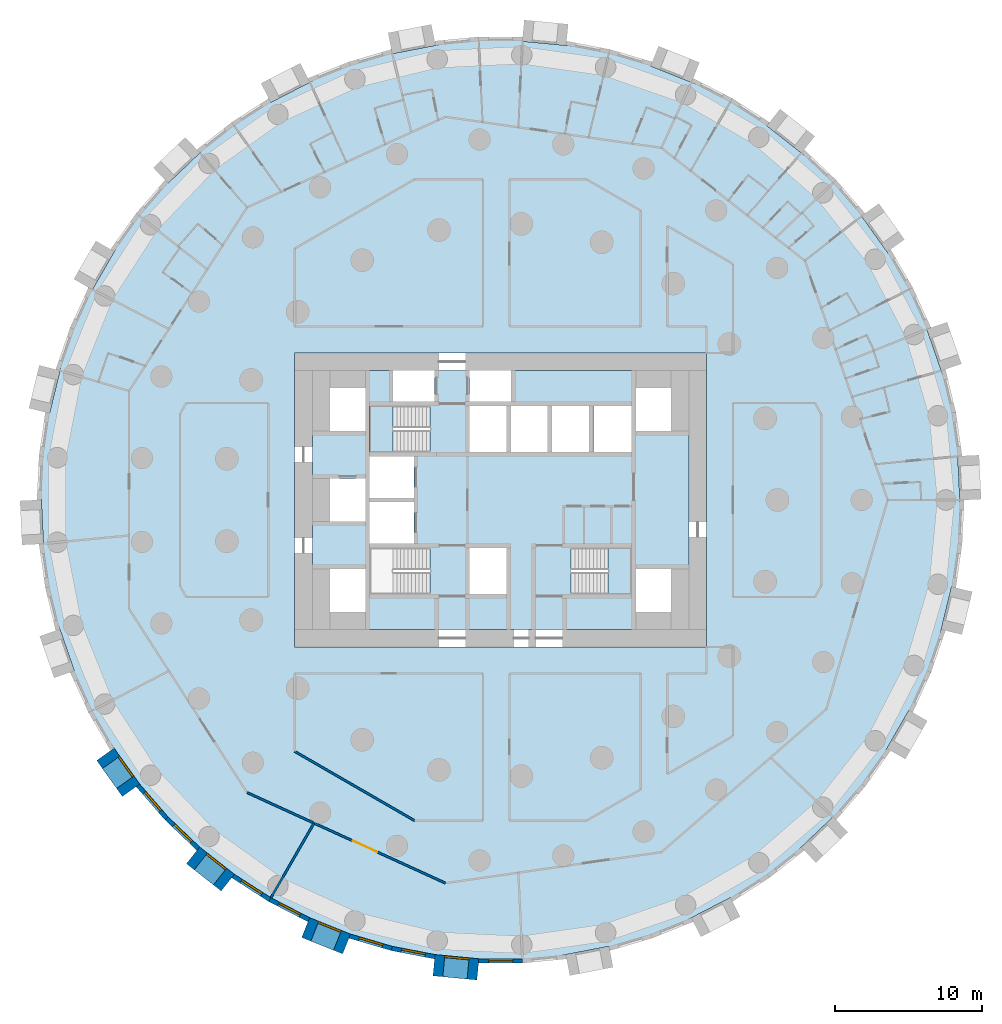
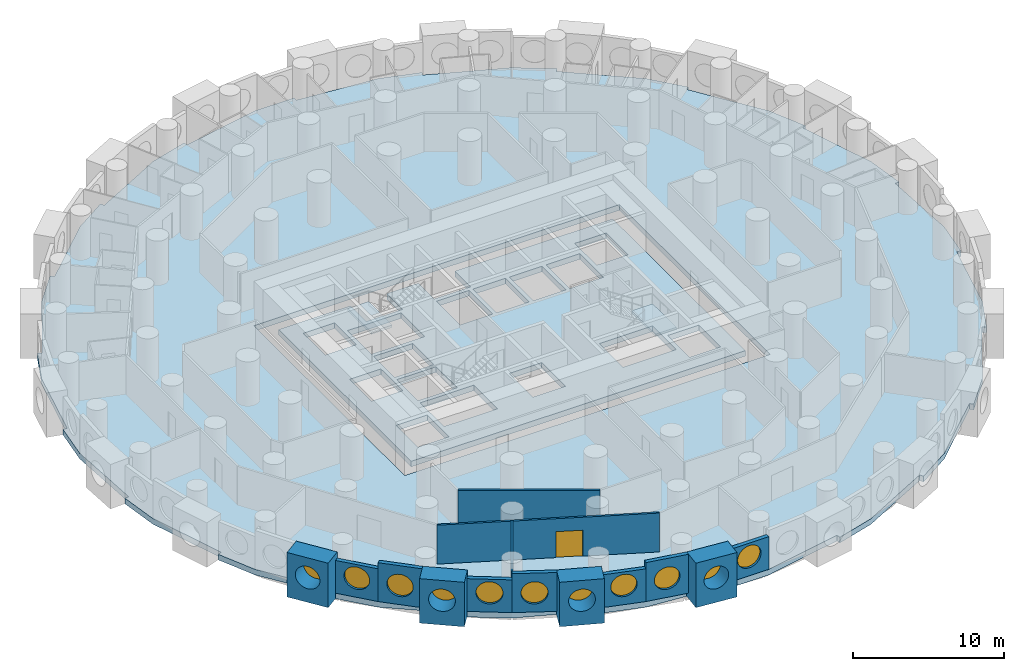
# One storey, part 2 of 12: 14 walls, 11 windows, 4 slabs, 1 door, 12 openings, 2 elements without a shape of their own.
"""IFC4 building model written with IfcOpenShell, lengths in metres."""

from ifc_helpers import new_model, si_unit, direction, frame, frame_2d, origin, origin_2d, place, context, subcontext, project, spatial, polyline, rectangle, circle, outline, extrude, material, layer, layer_set, type_object, element, fill, aggregate, save


model = new_model("IFC4")

# Units and contexts
model_context = context("Model", 3, precision=1e-05, world=origin(), true_north=direction((0.0, 1.0)))
body_context = subcontext(model_context, "Body", "Model", "MODEL_VIEW")
ifc_project = project(units=[si_unit("LENGTHUNIT", "METRE"), si_unit("AREAUNIT", "SQUARE_METRE"), si_unit("VOLUMEUNIT", "CUBIC_METRE"), si_unit("PLANEANGLEUNIT", "RADIAN"), si_unit("MASSUNIT", "GRAM", prefix="KILO")], contexts=[model_context])

# Site, building, storey
site_placement = place(None, origin())
site = spatial("IfcSite", under=ifc_project, at=site_placement, CompositionType="ELEMENT")
building_placement = place(site_placement, origin())
building = spatial("IfcBuilding", under=site, at=building_placement, Name="Tracery Tower", CompositionType="ELEMENT")
storey_placement = place(building_placement, frame((0.0, 0.0, 42.60009765625)))
storey = spatial("IfcBuildingStorey", under=building, at=storey_placement, Name="L09", CompositionType="ELEMENT", Elevation=42.60009765625)

# Slabs
ifc_material_1 = material(Name="Concrete C60/75", Category="concrete")
ifc_layer_1 = layer(ifc_material_1, 0.449951171875)
ifc_layer_set_1 = layer_set([ifc_layer_1], Name="Core floor slab 450 C60")
slab_type_1 = type_object("IfcSlabType", Name="Core floor slab 450 C60", PredefinedType="FLOOR", material=ifc_layer_set_1)
slab_1_placement = place(storey_placement, frame((0.0, 0.0, -0.4501953125)))
element("IfcSlab", 1, at=slab_1_placement, inside=storey, type_object=slab_type_1, Name="L09 core floor 1", PredefinedType="FLOOR", context=body_context, shape_type="SweptSolid", body=[
    extrude(outline(polyline([(-12.800048828125, 8.800048828125), (-7.300048828125, 8.800048828125), (-7.300048828125, 6.699951171875), (-4.5, 6.699951171875), (-4.5, 8.800048828125), (-2.10009765625, 8.800048828125), (-2.10009765625, 6.699951171875), (0.699951171875, 6.699951171875), (0.699951171875, 8.800048828125), (12.800048828125, 8.800048828125), (12.800048828125, -8.800048828125), (-12.800048828125, -8.800048828125), (-12.800048828125, 8.800048828125)]), holes=[polyline([(11.60009765625, -7.60009765625), (11.60009765625, -4.699951171875), (9.199951171875, -4.699951171875), (9.199951171875, -7.60009765625), (11.60009765625, -7.60009765625)]), polyline([(11.60009765625, 4.699951171875), (11.60009765625, 7.60009765625), (9.199951171875, 7.60009765625), (9.199951171875, 4.699951171875), (11.60009765625, 4.699951171875)]), polyline([(4.800537109375, -3.25), (4.800537109375, -6.39990234375), (8.89990234375, -6.39990234375), (8.89990234375, -3.25), (4.800537109375, -3.25)]), polyline([(6.300048828125, 3.25), (8.89990234375, 3.25), (8.89990234375, 6.39990234375), (6.300048828125, 6.39990234375), (6.300048828125, 3.25)]), polyline([(3.5, 3.25), (6.0, 3.25), (6.0, 6.39990234375), (3.5, 6.39990234375), (3.5, 3.25)]), polyline([(3.199951171875, 3.25), (3.199951171875, 6.39990234375), (0.699951171875, 6.39990234375), (0.699951171875, 3.25), (3.199951171875, 3.25)]), polyline([(-2.10009765625, 3.25), (0.39990234375, 3.25), (0.39990234375, 6.39990234375), (-2.10009765625, 6.39990234375), (-2.10009765625, 3.25)]), polyline([(0.39990234375, -6.39990234375), (0.39990234375, -3.25), (-2.10009765625, -3.25), (-2.10009765625, -6.39990234375), (0.39990234375, -6.39990234375)]), polyline([(-4.800537109375, -3.25), (-8.89990234375, -3.25), (-8.89990234375, -6.39990234375), (-4.800537109375, -6.39990234375), (-4.800537109375, -3.25)]), polyline([(-4.800537109375, 6.39990234375), (-8.89990234375, 6.39990234375), (-8.89990234375, 3.25), (-4.800537109375, 3.25), (-4.800537109375, 6.39990234375)]), polyline([(-8.89990234375, -2.949951171875), (-5.89990234375, -2.949951171875), (-5.89990234375, -0.14990234375), (-8.89990234375, -0.14990234375), (-8.89990234375, -2.949951171875)]), polyline([(-5.89990234375, 0.14990234375), (-5.89990234375, 2.949951171875), (-8.89990234375, 2.949951171875), (-8.89990234375, 0.14990234375), (-5.89990234375, 0.14990234375)]), polyline([(-11.60009765625, 4.699951171875), (-9.199951171875, 4.699951171875), (-9.199951171875, 7.60009765625), (-11.60009765625, 7.60009765625), (-11.60009765625, 4.699951171875)]), polyline([(-9.199951171875, -7.60009765625), (-9.199951171875, -4.699951171875), (-11.60009765625, -4.699951171875), (-11.60009765625, -7.60009765625), (-9.199951171875, -7.60009765625)]), polyline([(-9.199951171875, -1.449951171875), (-9.199951171875, 1.449951171875), (-11.60009765625, 1.449951171875), (-11.60009765625, -1.449951171875), (-9.199951171875, -1.449951171875)])]), origin(), (0.0, 0.0, 1.0), 0.4501953125),
])
ifc_material_2 = material(Name="Concrete C50/60", Category="concrete")
ifc_layer_2 = layer(ifc_material_2, 0.449951171875)
ifc_layer_set_2 = layer_set([ifc_layer_2], Name="Floor slab 450")
slab_type_2 = type_object("IfcSlabType", Name="Floor slab 450", PredefinedType="FLOOR", material=ifc_layer_set_2)
slab_2_placement = place(storey_placement, frame((0.0, 0.0, -0.4501953125)))
element("IfcSlab", 2, at=slab_2_placement, inside=storey, type_object=slab_type_2, Name="Floor slab L09", PredefinedType="FLOOR", context=body_context, shape_type="SweptSolid", body=[
    extrude(outline(polyline([(29.964111328125, 8.783447265625), (29.964111328125, 8.783447265625), (28.98291015625, 11.618408203125), (29.266357421875, 11.716552734375), (28.020263671875, 14.4453125), (26.27587890625, 16.869384765625), (26.27587890625, 16.869384765625), (26.27001953125, 16.877685546875), (26.267578125, 16.881103515625), (24.81201171875, 18.9248046875), (24.53564453125, 19.313232421875), (24.780029296875, 19.4873046875), (22.8154296875, 21.75439453125), (20.458740234375, 23.5888671875), (20.458740234375, 23.5888671875), (20.4541015625, 23.592529296875), (20.447509765625, 23.59765625), (18.11181640625, 25.4345703125), (18.11181640625, 25.4345703125), (18.1005859375, 25.443359375), (18.2861328125, 25.67919921875), (15.76220703125, 27.301025390625), (12.984375, 28.397216796875), (12.984375, 28.397216796875), (10.19921875, 29.51220703125), (10.310791015625, 29.790771484375), (7.43212890625, 30.635986328125), (4.4580078125, 30.905029296875), (4.4580078125, 30.905029296875), (4.45166015625, 30.90576171875), (4.443603515625, 30.906494140625), (1.859375, 31.1533203125), (1.471435546875, 31.190185546875), (1.5, 31.489013671875), (1.5, 31.489013671875), (-1.5, 31.489013671875), (-4.4296875, 30.9091796875), (-4.4296875, 30.9091796875), (-4.4365234375, 30.90771484375), (-4.443603515625, 30.906494140625), (-7.114501953125, 30.3916015625), (-7.37548828125, 30.34130859375), (-7.43212890625, 30.635986328125), (-10.310791015625, 29.790771484375), (-12.95849609375, 28.4091796875), (-12.958251953125, 28.4091796875), (-13.0693359375, 28.351806640625), (-15.612060546875, 27.041015625), (-15.612060546875, 27.041015625), (-15.624755859375, 27.034423828125), (-15.76220703125, 27.301025390625), (-15.76220703125, 27.301025390625), (-18.2861328125, 25.67919921875), (-20.437255859375, 23.607666015625), (-20.437255859375, 23.607666015625), (-20.441162109375, 23.603759765625), (-20.447509765625, 23.59765625), (-21.854736328125, 22.256103515625), (-22.6083984375, 21.537353515625), (-22.8154296875, 21.75439453125), (-24.780029296875, 19.4873046875), (-26.260498046875, 16.8935546875), (-26.260498046875, 16.8935546875), (-26.265380859375, 16.884765625), (-26.267578125, 16.881103515625), (-27.753173828125, 14.307861328125), (-27.753173828125, 14.307861328125), (-27.760498046875, 14.29541015625), (-28.02001953125, 14.4453125), (-28.020263671875, 14.4453125), (-29.266357421875, 11.716552734375), (-29.956298828125, 8.810791015625), (-29.9560546875, 8.810791015625), (-30.6015625, 6.150390625), (-30.659912109375, 5.9091796875), (-30.659912109375, 5.9091796875), (-30.663330078125, 5.895263671875), (-30.954833984375, 5.966064453125), (-31.3818359375, 2.99658203125), (-31.22509765625, 0.014404296875), (-31.224853515625, 0.014404296875), (-31.082275390625, -2.982421875), (-31.3818359375, -2.99658203125), (-30.954833984375, -5.966064453125), (-29.964111328125, -8.783447265625), (-29.964111328125, -8.783447265625), (-28.98291015625, -11.618408203125), (-29.266357421875, -11.716552734375), (-28.020263671875, -14.4453125), (-26.27587890625, -16.869384765625), (-26.27587890625, -16.869384765625), (-26.27001953125, -16.877685546875), (-26.267578125, -16.881103515625), (-24.81201171875, -18.9248046875), (-24.53564453125, -19.313232421875), (-24.780029296875, -19.4873046875), (-22.8154296875, -21.75439453125), (-20.458740234375, -23.5888671875), (-20.458740234375, -23.5888671875), (-20.4541015625, -23.592529296875), (-20.447509765625, -23.59765625), (-18.11181640625, -25.4345703125), (-18.11181640625, -25.4345703125), (-18.1005859375, -25.443359375), (-18.2861328125, -25.67919921875), (-15.76220703125, -27.301025390625), (-12.984375, -28.397216796875), (-12.984375, -28.397216796875), (-10.19921875, -29.51220703125), (-10.310791015625, -29.790771484375), (-7.43212890625, -30.635986328125), (-4.4580078125, -30.905029296875), (-4.4580078125, -30.905029296875), (-4.45166015625, -30.90576171875), (-4.443603515625, -30.906494140625), (-1.859375, -31.1533203125), (-1.471435546875, -31.190185546875), (-1.5, -31.489013671875), (-1.5, -31.489013671875), (1.5, -31.489013671875), (4.4296875, -30.9091796875), (4.4296875, -30.9091796875), (4.4365234375, -30.90771484375), (4.443603515625, -30.906494140625), (7.114501953125, -30.3916015625), (7.37548828125, -30.34130859375), (7.43212890625, -30.635986328125), (10.310791015625, -29.790771484375), (12.95849609375, -28.4091796875), (12.958251953125, -28.4091796875), (13.0693359375, -28.351806640625), (15.612060546875, -27.041015625), (15.612060546875, -27.041015625), (15.624755859375, -27.034423828125), (15.76220703125, -27.301025390625), (15.76220703125, -27.301025390625), (18.2861328125, -25.67919921875), (20.437255859375, -23.607666015625), (20.437255859375, -23.607666015625), (20.441162109375, -23.603759765625), (20.447509765625, -23.59765625), (21.854736328125, -22.256103515625), (22.6083984375, -21.537353515625), (22.8154296875, -21.75439453125), (24.780029296875, -19.4873046875), (26.260498046875, -16.8935546875), (26.260498046875, -16.8935546875), (26.265380859375, -16.884765625), (26.267578125, -16.881103515625), (27.753173828125, -14.307861328125), (27.753173828125, -14.307861328125), (27.760498046875, -14.29541015625), (28.02001953125, -14.4453125), (28.020263671875, -14.4453125), (29.266357421875, -11.716552734375), (29.956298828125, -8.810791015625), (29.9560546875, -8.810791015625), (30.6015625, -6.150390625), (30.659912109375, -5.9091796875), (30.659912109375, -5.9091796875), (30.663330078125, -5.895263671875), (30.954833984375, -5.966064453125), (31.3818359375, -2.99658203125), (31.22509765625, -0.014404296875), (31.224853515625, -0.014404296875), (31.082275390625, 2.982421875), (31.3818359375, 2.99658203125), (30.954833984375, 5.966064453125), (29.964111328125, 8.783447265625)]), holes=[polyline([(-14.0, -10.0), (14.0, -10.0), (14.0, 10.0), (-14.0, 10.0), (-14.0, -10.0)])]), origin(), (0.0, 0.0, 1.0), 0.4501953125),
])

# Stair, slab
ifc_material_3 = material(Name="Concrete C32/40", Category="concrete")
stair_type = type_object("IfcStairType", Name="Core stair 22 risers", PredefinedType="HALF_TURN_STAIR", material=ifc_material_3)
stair_1_placement = place(storey_placement, origin())
stair_1 = element("IfcStair", 3, at=stair_1_placement, inside=storey, type_object=stair_type, Name="L09 stair ST3", PredefinedType="HALF_TURN_STAIR")
ifc_material_4 = material(Name="Concrete C32/40", Category="concrete")
ifc_layer_3 = layer(ifc_material_4, 0.199951171875)
ifc_layer_set_3 = layer_set([ifc_layer_3], Name="Stair landing slab 200")
slab_type_3 = type_object("IfcSlabType", Name="Stair landing slab 200", PredefinedType="LANDING", material=ifc_layer_set_3)
slab_3_placement = place(storey_placement, frame((0.0, 0.0, 1.599853515625)))
slab_3 = element("IfcSlab", 4, at=slab_3_placement, type_object=slab_type_3, Name="ST3 landing 1", PredefinedType="LANDING", context=body_context, shape_type="SweptSolid", body=[
    extrude(outline(polyline([(-7.29931640625, 6.39990234375), (-8.89990234375, 6.39990234375), (-8.89990234375, 3.25), (-7.29931640625, 3.25), (-7.29931640625, 6.39990234375)])), origin(), (0.0, 0.0, 1.0), 0.199951171875),
])
aggregate(stair_1, [slab_3])

stair_2_placement = place(storey_placement, origin())
stair_2 = element("IfcStair", 5, at=stair_2_placement, inside=storey, type_object=stair_type, Name="L09 stair ST2", PredefinedType="HALF_TURN_STAIR")
slab_4_placement = place(storey_placement, frame((0.0, 0.0, 1.599853515625)))
slab_4 = element("IfcSlab", 6, at=slab_4_placement, type_object=slab_type_3, Name="ST2 landing 1", PredefinedType="LANDING", context=body_context, shape_type="SweptSolid", body=[
    extrude(outline(polyline([(7.29931640625, -6.39990234375), (8.89990234375, -6.39990234375), (8.89990234375, -3.25), (7.29931640625, -3.25), (7.29931640625, -6.39990234375)])), origin(), (0.0, 0.0, 1.0), 0.199951171875),
])
aggregate(stair_2, [slab_4])

# Wall, opening, window
ifc_material_5 = material(Name="Precast concrete C50/60", Category="concrete")
ifc_layer_4 = layer(ifc_material_5, 1.449951171875)
ifc_layer_set_4 = layer_set([ifc_layer_4], Name="Deep-set bay unit 3000 x 3600, slab edge 450")
wall_type_1 = type_object("IfcWallType", Name="Deep-set bay unit 3000 x 3600, slab edge 450", PredefinedType="ELEMENTEDWALL", material=ifc_layer_set_4)
wall_1_placement = place(storey_placement, frame((-26.866455078125, -17.2900390625, -0.4501953125), z_axis=(0.0, 0.0, 1.0), x_axis=(0.580090570606, -0.814551981088, 0.0)))
wall_1 = element("IfcWall", 7, at=wall_1_placement, inside=storey, type_object=wall_type_1, Name="Deep-set bay unit 40 at L09", PredefinedType="ELEMENTEDWALL", context=body_context, shape_type="SweptSolid", body=[
    extrude(rectangle(XDim=3.0, YDim=1.449951171875, at=frame_2d((1.5, 0.0))), origin(), (0.0, 0.0, 1.0), 3.60009765625),
])
opening_1_placement = place(wall_1_placement, frame((1.5, 0.0, 2.0)))
opening_1 = element("IfcOpeningElement", 8, at=opening_1_placement, cuts=wall_1, Name="Opening WN1", PredefinedType="OPENING", context=body_context, shape_type="SweptSolid", body=[
    extrude(circle(Radius=0.9000244140625, at=origin_2d()), frame((0.0, 0.73486328125, 0.0), z_axis=(0.0, -1.0, 0.0), x_axis=(1.0, 0.0, 0.0)), (0.0, 0.0, 1.0), 1.469970703125),
])
ifc_material_6 = material(Name="Aluminium frame with tinted double glazing", Category="aluminium")
window_type = type_object("IfcWindowType", Name="Round window 1800", PartitioningType="SINGLE_PANEL", PredefinedType="WINDOW", material=ifc_material_6)
window_1_placement = place(opening_1_placement, origin())
window_1 = element("IfcWindow", 9, at=window_1_placement, inside=storey, type_object=window_type, Name="Round window 40 at L09", OverallHeight=1.800048828125, OverallWidth=1.800048828125, PartitioningType="SINGLE_PANEL", PredefinedType="WINDOW", context=body_context, shape_type="SweptSolid", body=[
    extrude(circle(Radius=0.9000244140625, at=origin_2d()), frame((0.0, 0.69482421875, 0.0), z_axis=(0.0, -1.0, 0.0), x_axis=(1.0, 0.0, 0.0)), (0.0, 0.0, 1.0), 0.10009765625),
])
fill(opening_1, window_1)

wall_2_placement = place(storey_placement, frame((-20.906982421875, -24.15869140625, -0.4501953125), z_axis=(0.0, 0.0, 1.0), x_axis=(0.786049992888, -0.618162930529, 0.0)))
wall_2 = element("IfcWall", 10, at=wall_2_placement, inside=storey, type_object=wall_type_1, Name="Deep-set bay unit 43 at L09", PredefinedType="ELEMENTEDWALL", context=body_context, shape_type="SweptSolid", body=[
    extrude(rectangle(XDim=3.0, YDim=1.449951171875, at=frame_2d((1.5, 0.0))), origin(), (0.0, 0.0, 1.0), 3.60009765625),
])
opening_2_placement = place(wall_2_placement, frame((1.5, 0.0, 2.0)))
opening_2 = element("IfcOpeningElement", 11, at=opening_2_placement, cuts=wall_2, Name="Opening WN1", PredefinedType="OPENING", context=body_context, shape_type="SweptSolid", body=[
    extrude(circle(Radius=0.9000244140625, at=origin_2d()), frame((0.0, 0.73486328125, 0.0), z_axis=(0.0, -1.0, 0.0), x_axis=(1.0, 0.0, 0.0)), (0.0, 0.0, 1.0), 1.469970703125),
])
window_2_placement = place(opening_2_placement, origin())
window_2 = element("IfcWindow", 12, at=window_2_placement, inside=storey, type_object=window_type, Name="Round window 43 at L09", OverallHeight=1.800048828125, OverallWidth=1.800048828125, PartitioningType="SINGLE_PANEL", PredefinedType="WINDOW", context=body_context, shape_type="SweptSolid", body=[
    extrude(circle(Radius=0.9000244140625, at=origin_2d()), frame((0.0, 0.69482421875, 0.0), z_axis=(0.0, -1.0, 0.0), x_axis=(1.0, 0.0, 0.0)), (0.0, 0.0, 1.0), 0.10009765625),
])
fill(opening_2, window_2)

wall_3_placement = place(storey_placement, frame((-13.253662109375, -29.0703125, -0.4501953125), z_axis=(0.0, 0.0, 1.0), x_axis=(0.928358776184, -0.371685327504, 0.0)))
wall_3 = element("IfcWall", 13, at=wall_3_placement, inside=storey, type_object=wall_type_1, Name="Deep-set bay unit 46 at L09", PredefinedType="ELEMENTEDWALL", context=body_context, shape_type="SweptSolid", body=[
    extrude(rectangle(XDim=2.999755859375, YDim=1.449951171875, at=frame_2d((1.5, 0.0))), origin(), (0.0, 0.0, 1.0), 3.60009765625),
])
opening_3_placement = place(wall_3_placement, frame((1.5, 0.0, 2.0)))
opening_3 = element("IfcOpeningElement", 14, at=opening_3_placement, cuts=wall_3, Name="Opening WN1", PredefinedType="OPENING", context=body_context, shape_type="SweptSolid", body=[
    extrude(circle(Radius=0.9000244140625, at=origin_2d()), frame((0.0, 0.73486328125, 0.0), z_axis=(0.0, -1.0, 0.0), x_axis=(1.0, 0.0, 0.0)), (0.0, 0.0, 1.0), 1.469970703125),
])
window_3_placement = place(opening_3_placement, origin())
window_3 = element("IfcWindow", 15, at=window_3_placement, inside=storey, type_object=window_type, Name="Round window 46 at L09", OverallHeight=1.800048828125, OverallWidth=1.800048828125, PartitioningType="SINGLE_PANEL", PredefinedType="WINDOW", context=body_context, shape_type="SweptSolid", body=[
    extrude(circle(Radius=0.9000244140625, at=origin_2d()), frame((0.0, 0.69482421875, 0.0), z_axis=(0.0, -1.0, 0.0), x_axis=(1.0, 0.0, 0.0)), (0.0, 0.0, 1.0), 0.10009765625),
])
fill(opening_3, window_3)

wall_4_placement = place(storey_placement, frame((-4.52685546875, -31.626708984375, -0.4501953125), z_axis=(0.0, 0.0, 1.0), x_axis=(0.995472768558, -0.09504718333, 0.0)))
wall_4 = element("IfcWall", 16, at=wall_4_placement, inside=storey, type_object=wall_type_1, Name="Deep-set bay unit 49 at L09", PredefinedType="ELEMENTEDWALL", context=body_context, shape_type="SweptSolid", body=[
    extrude(rectangle(XDim=3.000244140625, YDim=1.449951171875, at=frame_2d((1.5, 0.0))), origin(), (0.0, 0.0, 1.0), 3.60009765625),
])
opening_4_placement = place(wall_4_placement, frame((1.5, 0.0, 2.0)))
opening_4 = element("IfcOpeningElement", 17, at=opening_4_placement, cuts=wall_4, Name="Opening WN1", PredefinedType="OPENING", context=body_context, shape_type="SweptSolid", body=[
    extrude(circle(Radius=0.9000244140625, at=origin_2d()), frame((0.0, 0.73486328125, 0.0), z_axis=(0.0, -1.0, 0.0), x_axis=(1.0, 0.0, 0.0)), (0.0, 0.0, 1.0), 1.469970703125),
])
window_4_placement = place(opening_4_placement, origin())
window_4 = element("IfcWindow", 18, at=window_4_placement, inside=storey, type_object=window_type, Name="Round window 49 at L09", OverallHeight=1.800048828125, OverallWidth=1.800048828125, PartitioningType="SINGLE_PANEL", PredefinedType="WINDOW", context=body_context, shape_type="SweptSolid", body=[
    extrude(circle(Radius=0.9000244140625, at=origin_2d()), frame((0.0, 0.69482421875, 0.0), z_axis=(0.0, -1.0, 0.0), x_axis=(1.0, 0.0, 0.0)), (0.0, 0.0, 1.0), 0.10009765625),
])
fill(opening_4, window_4)

ifc_material_7 = material(Name="Precast concrete C50/60", Category="concrete")
ifc_layer_5 = layer(ifc_material_7, 0.300048828125)
ifc_layer_set_5 = layer_set([ifc_layer_5], Name="Facade panel 3000 x 2650")
wall_type_2 = type_object("IfcWallType", Name="Facade panel 3000 x 2650", PredefinedType="SOLIDWALL", material=ifc_layer_set_5)
wall_5_placement = place(storey_placement, frame((-24.657958984375, -19.39892578125, 0.0), z_axis=(0.0, 0.0, 1.0), x_axis=(0.654830712471, -0.755775587066, 0.0)))
wall_5 = element("IfcWall", 19, at=wall_5_placement, inside=storey, type_object=wall_type_2, Name="Facade panel 41 at L09", PredefinedType="SOLIDWALL", context=body_context, shape_type="SweptSolid", body=[
    extrude(rectangle(XDim=2.979736328125, YDim=0.300048828125, at=frame_2d((1.48974609375, 0.0))), origin(), (0.0, 0.0, 1.0), 2.64990234375),
])
opening_5_placement = place(wall_5_placement, frame((1.48974609375, 0.0, 1.5498046875)))
opening_5 = element("IfcOpeningElement", 20, at=opening_5_placement, cuts=wall_5, Name="Opening WN1", PredefinedType="OPENING", context=body_context, shape_type="SweptSolid", body=[
    extrude(circle(Radius=0.9000244140625, at=origin_2d()), frame((0.0, 0.159912109375, 0.0), z_axis=(0.0, -1.0, 0.0), x_axis=(1.0, 0.0, 0.0)), (0.0, 0.0, 1.0), 0.320068359375),
])
window_5_placement = place(opening_5_placement, origin())
window_5 = element("IfcWindow", 21, at=window_5_placement, inside=storey, type_object=window_type, Name="Round window 41 at L09", OverallHeight=1.800048828125, OverallWidth=1.800048828125, PartitioningType="SINGLE_PANEL", PredefinedType="WINDOW", context=body_context, shape_type="SweptSolid", body=[
    extrude(circle(Radius=0.9000244140625, at=origin_2d()), frame((0.0, 0.1201171875, 0.0), z_axis=(0.0, -1.0, 0.0), x_axis=(1.0, 0.0, 0.0)), (0.0, 0.0, 1.0), 0.10009765625),
])
fill(opening_5, window_5)

wall_6_placement = place(storey_placement, frame((-18.19384765625, -25.56005859375, 0.0), z_axis=(0.0, 0.0, 1.0), x_axis=(0.84122372879, -0.540687190639, 0.0)))
wall_6 = element("IfcWall", 22, at=wall_6_placement, inside=storey, type_object=wall_type_2, Name="Facade panel 44 at L09", PredefinedType="SOLIDWALL", context=body_context, shape_type="SweptSolid", body=[
    extrude(rectangle(XDim=2.979736328125, YDim=0.300048828125, at=frame_2d((1.48974609375, 0.0))), origin(), (0.0, 0.0, 1.0), 2.64990234375),
])
opening_6_placement = place(wall_6_placement, frame((1.48974609375, 0.0, 1.5498046875)))
opening_6 = element("IfcOpeningElement", 23, at=opening_6_placement, cuts=wall_6, Name="Opening WN1", PredefinedType="OPENING", context=body_context, shape_type="SweptSolid", body=[
    extrude(circle(Radius=0.9000244140625, at=origin_2d()), frame((0.0, 0.159912109375, 0.0), z_axis=(0.0, -1.0, 0.0), x_axis=(1.0, 0.0, 0.0)), (0.0, 0.0, 1.0), 0.320068359375),
])
window_6_placement = place(opening_6_placement, origin())
window_6 = element("IfcWindow", 24, at=window_6_placement, inside=storey, type_object=window_type, Name="Round window 44 at L09", OverallHeight=1.800048828125, OverallWidth=1.800048828125, PartitioningType="SINGLE_PANEL", PredefinedType="WINDOW", context=body_context, shape_type="SweptSolid", body=[
    extrude(circle(Radius=0.9000244140625, at=origin_2d()), frame((0.0, 0.1201171875, 0.0), z_axis=(0.0, -1.0, 0.0), x_axis=(1.0, 0.0, 0.0)), (0.0, 0.0, 1.0), 0.10009765625),
])
fill(opening_6, window_6)

wall_7_placement = place(storey_placement, frame((-10.255859375, -29.650634765625, 0.0), z_axis=(0.0, 0.0, 1.0), x_axis=(0.959507586834, -0.28168278401, 0.0)))
wall_7 = element("IfcWall", 25, at=wall_7_placement, inside=storey, type_object=wall_type_2, Name="Facade panel 47 at L09", PredefinedType="SOLIDWALL", context=body_context, shape_type="SweptSolid", body=[
    extrude(rectangle(XDim=2.979736328125, YDim=0.300048828125, at=frame_2d((1.48974609375, 0.0))), origin(), (0.0, 0.0, 1.0), 2.64990234375),
])
opening_7_placement = place(wall_7_placement, frame((1.48974609375, 0.0, 1.5498046875)))
opening_7 = element("IfcOpeningElement", 26, at=opening_7_placement, cuts=wall_7, Name="Opening WN1", PredefinedType="OPENING", context=body_context, shape_type="SweptSolid", body=[
    extrude(circle(Radius=0.9000244140625, at=origin_2d()), frame((0.0, 0.159912109375, 0.0), z_axis=(0.0, -1.0, 0.0), x_axis=(1.0, 0.0, 0.0)), (0.0, 0.0, 1.0), 0.320068359375),
])
window_7_placement = place(opening_7_placement, origin())
window_7 = element("IfcWindow", 27, at=window_7_placement, inside=storey, type_object=window_type, Name="Round window 47 at L09", OverallHeight=1.800048828125, OverallWidth=1.800048828125, PartitioningType="SINGLE_PANEL", PredefinedType="WINDOW", context=body_context, shape_type="SweptSolid", body=[
    extrude(circle(Radius=0.9000244140625, at=origin_2d()), frame((0.0, 0.1201171875, 0.0), z_axis=(0.0, -1.0, 0.0), x_axis=(1.0, 0.0, 0.0)), (0.0, 0.0, 1.0), 0.10009765625),
])
fill(opening_7, window_7)

wall_8_placement = place(storey_placement, frame((-1.48681640625, -31.3388671875, 0.0), z_axis=(0.0, 0.0, 1.0), x_axis=(1.0, 0.0, 0.0)))
wall_8 = element("IfcWall", 28, at=wall_8_placement, inside=storey, type_object=wall_type_2, Name="Facade panel 50 at L09", PredefinedType="SOLIDWALL", context=body_context, shape_type="SweptSolid", body=[
    extrude(rectangle(XDim=2.979736328125, YDim=0.300048828125, at=frame_2d((1.48974609375, 0.0))), origin(), (0.0, 0.0, 1.0), 2.64990234375),
])
opening_8_placement = place(wall_8_placement, frame((1.48974609375, 0.0, 1.5498046875)))
opening_8 = element("IfcOpeningElement", 29, at=opening_8_placement, cuts=wall_8, Name="Opening WN1", PredefinedType="OPENING", context=body_context, shape_type="SweptSolid", body=[
    extrude(circle(Radius=0.9000244140625, at=origin_2d()), frame((0.0, 0.159912109375, 0.0), z_axis=(0.0, -1.0, 0.0), x_axis=(1.0, 0.0, 0.0)), (0.0, 0.0, 1.0), 0.320068359375),
])
window_8_placement = place(opening_8_placement, origin())
window_8 = element("IfcWindow", 30, at=window_8_placement, inside=storey, type_object=window_type, Name="Round window 50 at L09", OverallHeight=1.800048828125, OverallWidth=1.800048828125, PartitioningType="SINGLE_PANEL", PredefinedType="WINDOW", context=body_context, shape_type="SweptSolid", body=[
    extrude(circle(Radius=0.9000244140625, at=origin_2d()), frame((0.0, 0.1201171875, 0.0), z_axis=(0.0, -1.0, 0.0), x_axis=(1.0, 0.0, 0.0)), (0.0, 0.0, 1.0), 0.10009765625),
])
fill(opening_8, window_8)

ifc_material_8 = material(Name="Precast concrete C50/60", Category="concrete")
ifc_layer_6 = layer(ifc_material_8, 0.300048828125)
ifc_layer_set_6 = layer_set([ifc_layer_6], Name="Facade panel 3000 x 3150")
wall_type_3 = type_object("IfcWallType", Name="Facade panel 3000 x 3150", PredefinedType="SOLIDWALL", material=ifc_layer_set_6)
wall_9_placement = place(storey_placement, frame((-22.706787109375, -21.65087890625, 0.0), z_axis=(0.0, 0.0, 1.0), x_axis=(0.723744206617, -0.690068346896, 0.0)))
wall_9 = element("IfcWall", 31, at=wall_9_placement, inside=storey, type_object=wall_type_3, Name="Facade panel 42 at L09", PredefinedType="SOLIDWALL", context=body_context, shape_type="SweptSolid", body=[
    extrude(rectangle(XDim=2.979736328125, YDim=0.300048828125, at=frame_2d((1.48974609375, 0.0))), origin(), (0.0, 0.0, 1.0), 3.14990234375),
])
opening_9_placement = place(wall_9_placement, frame((1.48974609375, 0.0, 1.5498046875)))
opening_9 = element("IfcOpeningElement", 32, at=opening_9_placement, cuts=wall_9, Name="Opening WN1", PredefinedType="OPENING", context=body_context, shape_type="SweptSolid", body=[
    extrude(circle(Radius=0.9000244140625, at=origin_2d()), frame((0.0, 0.159912109375, 0.0), z_axis=(0.0, -1.0, 0.0), x_axis=(1.0, 0.0, 0.0)), (0.0, 0.0, 1.0), 0.320068359375),
])
window_9_placement = place(opening_9_placement, origin())
window_9 = element("IfcWindow", 33, at=window_9_placement, inside=storey, type_object=window_type, Name="Round window 42 at L09", OverallHeight=1.800048828125, OverallWidth=1.800048828125, PartitioningType="SINGLE_PANEL", PredefinedType="WINDOW", context=body_context, shape_type="SweptSolid", body=[
    extrude(circle(Radius=0.9000244140625, at=origin_2d()), frame((0.0, 0.1201171875, 0.0), z_axis=(0.0, -1.0, 0.0), x_axis=(1.0, 0.0, 0.0)), (0.0, 0.0, 1.0), 0.10009765625),
])
fill(opening_9, window_9)

wall_10_placement = place(storey_placement, frame((-15.687255859375, -27.171142578125, 0.0), z_axis=(0.0, 0.0, 1.0), x_axis=(0.888853225096, -0.4581920386, 0.0)))
wall_10 = element("IfcWall", 34, at=wall_10_placement, inside=storey, type_object=wall_type_3, Name="Facade panel 45 at L09", PredefinedType="SOLIDWALL", context=body_context, shape_type="SweptSolid", body=[
    extrude(rectangle(XDim=2.9794921875, YDim=0.300048828125, at=frame_2d((1.48974609375, 0.0))), origin(), (0.0, 0.0, 1.0), 3.14990234375),
])
opening_10_placement = place(wall_10_placement, frame((1.48974609375, 0.0, 1.5498046875)))
opening_10 = element("IfcOpeningElement", 35, at=opening_10_placement, cuts=wall_10, Name="Opening WN1", PredefinedType="OPENING", context=body_context, shape_type="SweptSolid", body=[
    extrude(circle(Radius=0.9000244140625, at=origin_2d()), frame((0.0, 0.159912109375, 0.0), z_axis=(0.0, -1.0, 0.0), x_axis=(1.0, 0.0, 0.0)), (0.0, 0.0, 1.0), 0.320068359375),
])
window_10_placement = place(opening_10_placement, origin())
window_10 = element("IfcWindow", 36, at=window_10_placement, inside=storey, type_object=window_type, Name="Round window 45 at L09", OverallHeight=1.800048828125, OverallWidth=1.800048828125, PartitioningType="SINGLE_PANEL", PredefinedType="WINDOW", context=body_context, shape_type="SweptSolid", body=[
    extrude(circle(Radius=0.9000244140625, at=origin_2d()), frame((0.0, 0.1201171875, 0.0), z_axis=(0.0, -1.0, 0.0), x_axis=(1.0, 0.0, 0.0)), (0.0, 0.0, 1.0), 0.10009765625),
])
fill(opening_10, window_10)

wall_11_placement = place(storey_placement, frame((-7.396728515625, -30.489990234375, 0.0), z_axis=(0.0, 0.0, 1.0), x_axis=(0.981924535406, -0.189272836848, 0.0)))
wall_11 = element("IfcWall", 37, at=wall_11_placement, inside=storey, type_object=wall_type_3, Name="Facade panel 48 at L09", PredefinedType="SOLIDWALL", context=body_context, shape_type="SweptSolid", body=[
    extrude(rectangle(XDim=2.979736328125, YDim=0.300048828125, at=frame_2d((1.48974609375, 0.0))), origin(), (0.0, 0.0, 1.0), 3.14990234375),
])
opening_11_placement = place(wall_11_placement, frame((1.48974609375, 0.0, 1.5498046875)))
opening_11 = element("IfcOpeningElement", 38, at=opening_11_placement, cuts=wall_11, Name="Opening WN1", PredefinedType="OPENING", context=body_context, shape_type="SweptSolid", body=[
    extrude(circle(Radius=0.9000244140625, at=origin_2d()), frame((0.0, 0.159912109375, 0.0), z_axis=(0.0, -1.0, 0.0), x_axis=(1.0, 0.0, 0.0)), (0.0, 0.0, 1.0), 0.320068359375),
])
window_11_placement = place(opening_11_placement, origin())
window_11 = element("IfcWindow", 39, at=window_11_placement, inside=storey, type_object=window_type, Name="Round window 48 at L09", OverallHeight=1.800048828125, OverallWidth=1.800048828125, PartitioningType="SINGLE_PANEL", PredefinedType="WINDOW", context=body_context, shape_type="SweptSolid", body=[
    extrude(circle(Radius=0.9000244140625, at=origin_2d()), frame((0.0, 0.1201171875, 0.0), z_axis=(0.0, -1.0, 0.0), x_axis=(1.0, 0.0, 0.0)), (0.0, 0.0, 1.0), 0.10009765625),
])
fill(opening_11, window_11)

# Walls
ifc_material_9 = material(Name="Plasterboard on steel studs", Category="steel")
ifc_layer_7 = layer(ifc_material_9, 0.14990234375)
ifc_layer_set_7 = layer_set([ifc_layer_7], Name="Partition 150 acoustic unit wall")
wall_type_4 = type_object("IfcWallType", Name="Partition 150 acoustic unit wall", PredefinedType="PARTITIONING", material=ifc_layer_set_7)
wall_12_placement = place(storey_placement, frame((-15.612060546875, -27.041015625, 0.0), z_axis=(0.0, 0.0, 1.0), x_axis=(0.499954606878, 0.86605160993, 0.0)))
element("IfcWall", 40, at=wall_12_placement, inside=storey, type_object=wall_type_4, Name="Unit wall RA2-120", PredefinedType="PARTITIONING", context=body_context, shape_type="SweptSolid", body=[
    extrude(rectangle(XDim=5.8564453125, YDim=0.14990234375, at=frame_2d((2.92822265625, 0.0))), origin(), (0.0, 0.0, 1.0), 3.14990234375),
])
ifc_material_10 = material(Name="Plasterboard on steel studs", Category="steel")
ifc_layer_8 = layer(ifc_material_10, 0.14990234375)
ifc_layer_set_8 = layer_set([ifc_layer_8], Name="Partition 150 corridor wall")
wall_type_5 = type_object("IfcWallType", Name="Partition 150 corridor wall", PredefinedType="PARTITIONING", material=ifc_layer_set_8)
wall_13_placement = place(storey_placement, frame((-14.0, -17.092041015625, 0.0), z_axis=(0.0, 0.0, 1.0), x_axis=(0.86602719091, -0.499996904595, 0.0)))
element("IfcWall", 41, at=wall_13_placement, inside=storey, type_object=wall_type_5, Name="Corridor wall RA2-046", PredefinedType="PARTITIONING", context=body_context, shape_type="SweptSolid", body=[
    extrude(rectangle(XDim=9.419921875, YDim=0.14990234375, at=frame_2d((4.7099609375, 0.0))), origin(), (0.0, 0.0, 1.0), 3.14990234375),
])

# Wall, opening, door
wall_14_placement = place(storey_placement, frame((-17.235107421875, -19.889892578125, 0.0), z_axis=(0.0, 0.0, 1.0), x_axis=(0.909645678785, -0.415385049163, 0.0)))
wall_14 = element("IfcWall", 42, at=wall_14_placement, inside=storey, type_object=wall_type_5, Name="Corridor wall RA2-055", PredefinedType="PARTITIONING", context=body_context, shape_type="SweptSolid", body=[
    extrude(rectangle(XDim=14.829345703125, YDim=0.14990234375, at=frame_2d((7.41455078125, 0.0))), origin(), (0.0, 0.0, 1.0), 3.14990234375),
])
opening_12_placement = place(wall_14_placement, frame((7.914306640625, 0.0, 0.0)))
opening_12 = element("IfcOpeningElement", 43, at=opening_12_placement, cuts=wall_14, Name="Opening RA2-48", PredefinedType="OPENING", context=body_context, shape_type="SweptSolid", body=[
    extrude(rectangle(XDim=1.800048828125, YDim=2.10009765625, at=frame_2d((0.89990234375, 1.050048828125))), frame((0.0, 0.074951171875, 0.0), z_axis=(0.0, -1.0, 0.0), x_axis=(1.0, 0.0, 0.0)), (0.0, 0.0, 1.0), 0.14990234375),
])
ifc_material_11 = material(Name="Timber door leaf", Category="wood")
door_type = type_object("IfcDoorType", Name="Door double lounge 1800", OperationType="NOTDEFINED", PredefinedType="DOOR", material=ifc_material_11)
door_placement = place(opening_12_placement, origin())
door = element("IfcDoor", 44, at=door_placement, inside=storey, type_object=door_type, Name="Double lounge door RA2-48", OperationType="DOUBLE_DOOR_SINGLE_SWING", OverallHeight=2.10009765625, OverallWidth=1.800048828125, PredefinedType="DOOR", context=body_context, shape_type="SweptSolid", body=[
    extrude(rectangle(XDim=1.800048828125, YDim=2.10009765625, at=frame_2d((0.89990234375, 1.050048828125))), frame((0.0, 0.02490234375, 0.0), z_axis=(0.0, -1.0, 0.0), x_axis=(1.0, 0.0, 0.0)), (0.0, 0.0, 1.0), 0.050048828125),
])
fill(opening_12, door)

save(model, "model.ifc")
